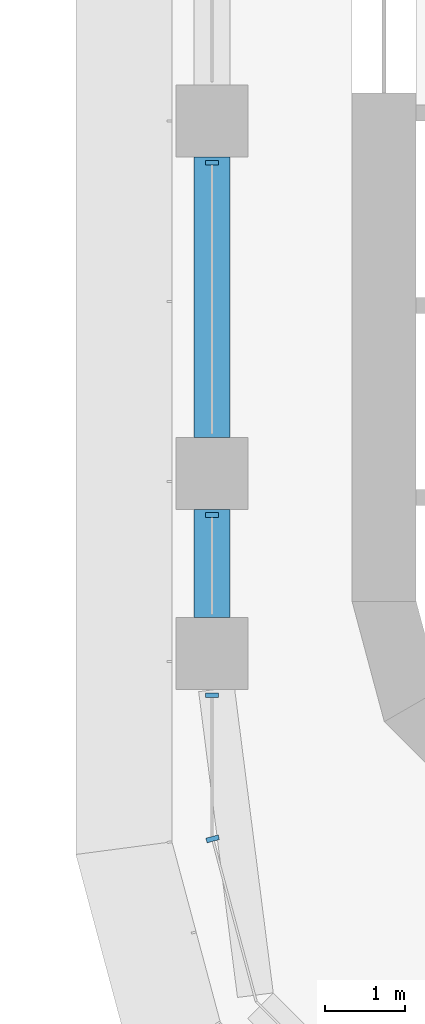
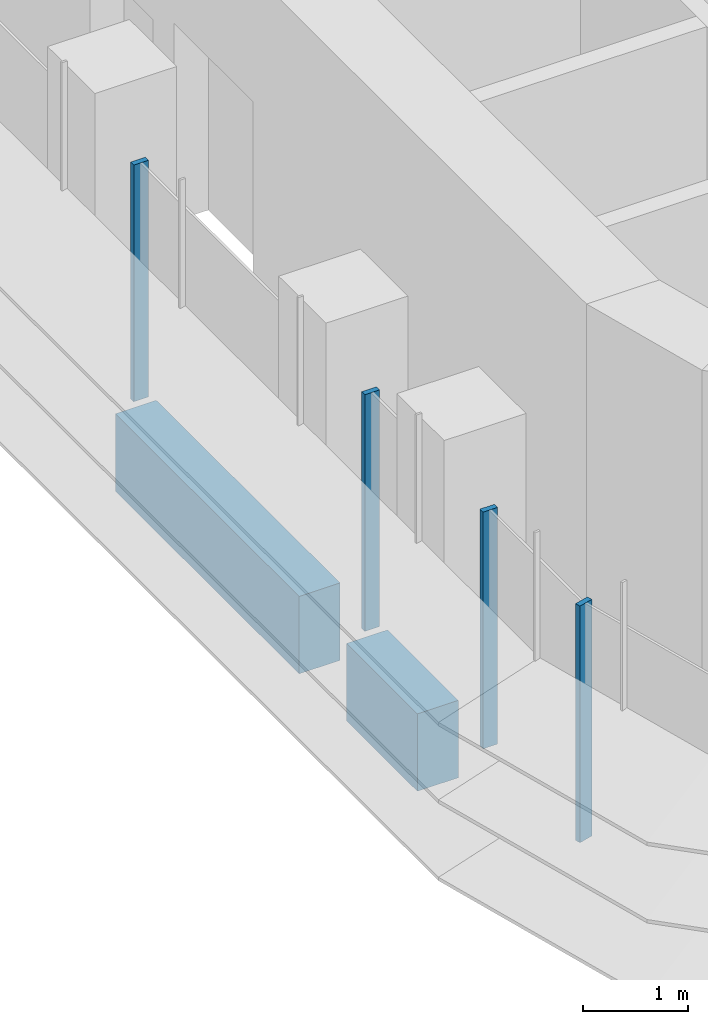
# One storey, part 2 of 22: 4 members, 2 beams, 2 elements without a shape of their own.
"""IFC4 building model written with IfcOpenShell, lengths in metres."""

from ifc_helpers import new_model, si_unit, direction, frame, origin, origin_2d, place, context, subcontext, project, spatial, polyline, rectangle, outline, extrude, source, transform, mapped, material, material_profile, profile_set, type_object, element, aggregate, save


model = new_model("IFC4")

# Units and contexts
model_context = context("Model", 3, precision=1e-05, world=origin(), true_north=direction((0.0, 1.0)))
body_context = subcontext(model_context, "Body", "Model", "MODEL_VIEW")
ifc_project = project(units=[si_unit("LENGTHUNIT", "METRE"), si_unit("AREAUNIT", "SQUARE_METRE"), si_unit("VOLUMEUNIT", "CUBIC_METRE"), si_unit("PLANEANGLEUNIT", "RADIAN"), si_unit("MASSUNIT", "GRAM", prefix="KILO")], contexts=[model_context])

# Site, building, storey
site_placement = place(None, origin())
site = spatial("IfcSite", under=ifc_project, at=site_placement, CompositionType="ELEMENT")
building_placement = place(site_placement, origin())
building = spatial("IfcBuilding", under=site, at=building_placement, Name="Zarbagh Exchange Tower", CompositionType="ELEMENT")
storey_placement = place(building_placement, frame((0.0, 0.0, 109.39990234375)))
storey = spatial("IfcBuildingStorey", under=building, at=storey_placement, Name="L25", CompositionType="ELEMENT", Elevation=109.39990234375)

# Beams
ifc_material_1 = material(Name="Concrete C60/75", Category="concrete")
ifc_material_profile = material_profile(ifc_material_1, rectangle(XDim=0.449951171875, YDim=0.89990234375, at=origin_2d()), Name="RC spandrel beam 450 x 900 C60/75")
ifc_profile_set = profile_set([ifc_material_profile], Name="Concrete C60/75")
beam_type = type_object("IfcBeamType", Name="RC spandrel beam 450 x 900 C60/75", PredefinedType="SPANDREL", material=ifc_profile_set)
beam_1_placement = place(storey_placement, frame((-6.25, -26.449951171875, -0.599853515625), z_axis=(0.0, 1.0, 0.0), x_axis=(-1.0, 0.0, 0.0)))
element("IfcBeam", 1, at=beam_1_placement, inside=storey, type_object=beam_type, Name="RC spandrel beam", PredefinedType="SPANDREL", context=body_context, shape_type="SweptSolid", body=[
    extrude(rectangle(XDim=0.449951171875, YDim=0.89990234375, at=origin_2d()), origin(), (0.0, 0.0, 1.0), 1.349853515625),
])
beam_2_placement = place(storey_placement, frame((-6.25, -24.199951171875, -0.599853515625), z_axis=(0.0, 1.0, 0.0), x_axis=(-1.0, 0.0, 0.0)))
element("IfcBeam", 2, at=beam_2_placement, inside=storey, type_object=beam_type, Name="RC spandrel beam", PredefinedType="SPANDREL", context=body_context, shape_type="SweptSolid", body=[
    extrude(rectangle(XDim=0.449951171875, YDim=0.89990234375, at=origin_2d()), origin(), (0.0, 0.0, 1.0), 3.5),
])

# Curtain wall, members
ifc_material_2 = material(Name="Anodised aluminium frame and glazing", Category="aluminium")
curtain_wall_type = type_object("IfcCurtainWallType", Name="CWA Ribbon glazing, lower zones", PredefinedType="NOTDEFINED", material=ifc_material_2)
curtain_wall_1_placement = place(storey_placement, origin())
curtain_wall_1 = element("IfcCurtainWall", 3, at=curtain_wall_1_placement, inside=storey, type_object=curtain_wall_type, Name="CWA44 curtain wall", PredefinedType="NOTDEFINED")
ifc_material_3 = material(Name="Anodised aluminium frame", Category="aluminium")
member_type = type_object("IfcMemberType", Name="MUA Mullion, anodised aluminium frame", PredefinedType="MULLION", material=ifc_material_3)
shared_shape = source(origin(), body_context, "Body", "SweptSolid", [
    extrude(outline(polyline([(0.0, -0.080078125), (0.06005859375, -0.080078125), (0.06005859375, 0.080078125), (0.0, 0.080078125), (0.0, -0.080078125)])), origin(), (0.0, 0.0, 1.0), 2.75),
])
placement = place(storey_placement, origin())
member_1 = element("IfcMember", 4, at=placement, type_object=member_type, Name="CWA44 mullion 3.1", PredefinedType="MULLION", context=body_context, shape_type="MappedRepresentation", body=[
    mapped(shared_shape, transform((-6.25, -20.739990234375, 0.0), x_axis=(0.0, -1.0, 0.0), y_axis=(1.0, 0.0, 0.0), z_axis=(0.0, 0.0, 1.0))),
])
member_2 = element("IfcMember", 5, at=placement, type_object=member_type, Name="CWA44 mullion 4.1", PredefinedType="MULLION", context=body_context, shape_type="MappedRepresentation", body=[
    mapped(shared_shape, transform((-6.25, -25.14013671875, 0.0), x_axis=(0.0, -1.0, 0.0), y_axis=(1.0, 0.0, 0.0), z_axis=(0.0, 0.0, 1.0))),
])
member_3 = element("IfcMember", 6, at=placement, type_object=member_type, Name="CWA44 mullion 5.1", PredefinedType="MULLION", context=body_context, shape_type="MappedRepresentation", body=[
    mapped(shared_shape, transform((-6.25, -27.39013671875, 0.0), x_axis=(0.0, -1.0, 0.0), y_axis=(1.0, 0.0, 0.0), z_axis=(0.0, 0.0, 1.0))),
])
aggregate(curtain_wall_1, [member_1, member_2, member_3])

# Curtain wall, member
curtain_wall_2_placement = place(storey_placement, origin())
curtain_wall_2 = element("IfcCurtainWall", 7, at=curtain_wall_2_placement, inside=storey, type_object=curtain_wall_type, Name="CWA45 curtain wall", PredefinedType="NOTDEFINED")
member_4 = element("IfcMember", 8, at=placement, type_object=member_type, Name="CWA45 mullion 1.1", PredefinedType="MULLION", context=body_context, shape_type="MappedRepresentation", body=[
    mapped(shared_shape, transform((-6.25, -29.18408203125, 0.0), x_axis=(0.258824779902, -0.965924289636, 0.0), y_axis=(0.965924289636, 0.258824779902, 0.0), z_axis=(0.0, 0.0, 1.0))),
])
aggregate(curtain_wall_2, [member_4])

save(model, "model.ifc")
